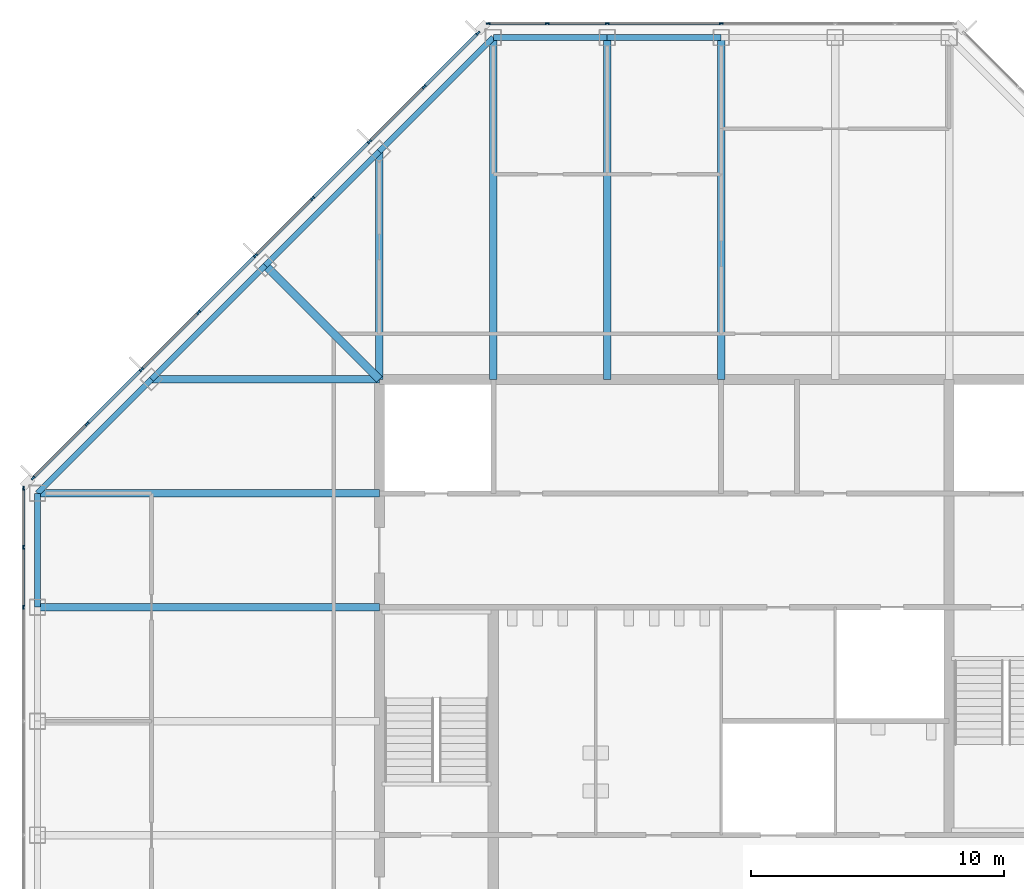
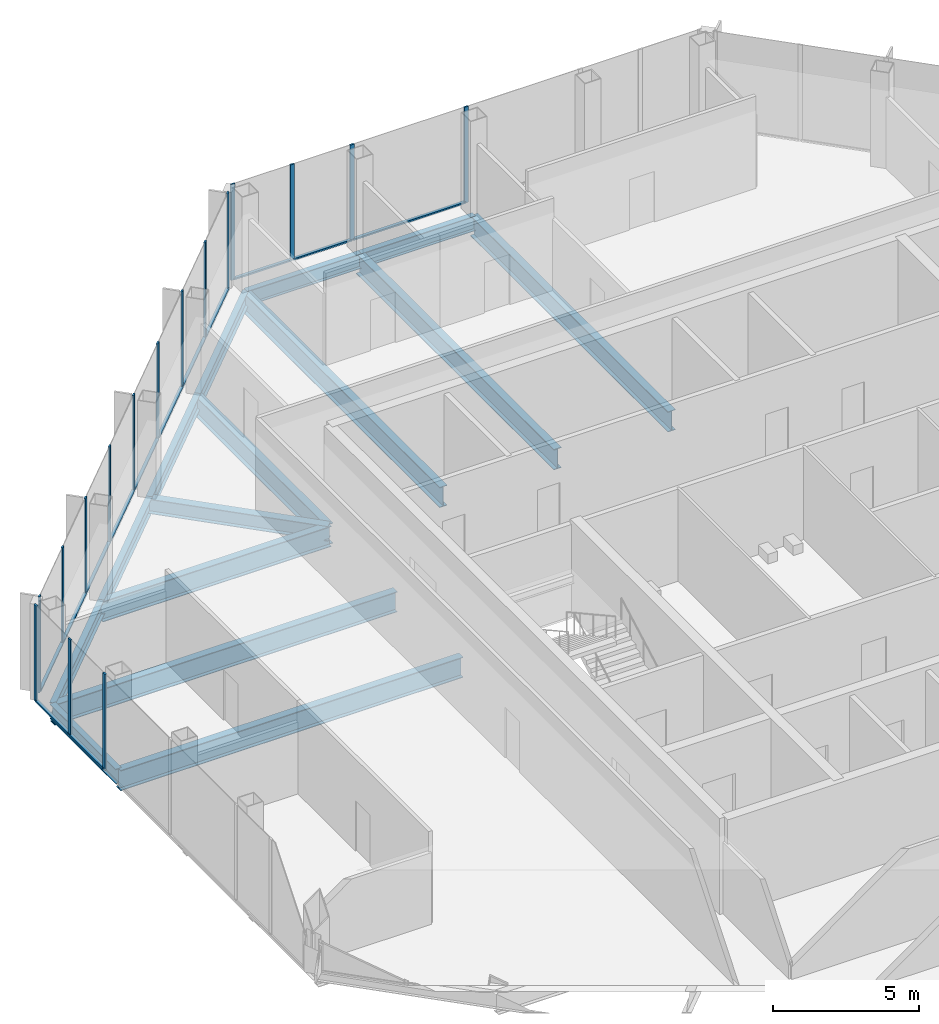
# One storey, part 6 of 13: 29 members, 15 beams, 3 elements without a shape of their own.
"""IFC4 building model written with IfcOpenShell, lengths in metres."""

from ifc_helpers import new_model, si_unit, direction, frame, origin, origin_2d, place, context, subcontext, project, spatial, rectangle, i_section, extrude, material, material_profile, profile_set, type_object, element, aggregate, save


model = new_model("IFC4")

# Units and contexts
model_context = context("Model", 3, precision=1e-05, world=origin(), true_north=direction((0.0, 1.0)))
body_context = subcontext(model_context, "Body", "Model", "MODEL_VIEW")
ifc_project = project(units=[si_unit("LENGTHUNIT", "METRE"), si_unit("AREAUNIT", "SQUARE_METRE"), si_unit("VOLUMEUNIT", "CUBIC_METRE"), si_unit("PLANEANGLEUNIT", "RADIAN"), si_unit("MASSUNIT", "GRAM", prefix="KILO")], contexts=[model_context])

# Site, building, storey
site_placement = place(None, origin())
site = spatial("IfcSite", under=ifc_project, at=site_placement, CompositionType="ELEMENT")
building_placement = place(site_placement, origin())
building = spatial("IfcBuilding", under=site, at=building_placement, Name="Corais Broadcast Tower", CompositionType="ELEMENT")
storey_placement = place(building_placement, frame((0.0, 0.0, 222.60009765625)))
storey = spatial("IfcBuildingStorey", under=building, at=storey_placement, Name="L51", CompositionType="ELEMENT", Elevation=222.60009765625)

# Beams
ifc_material_1 = material(Name="Steel ASTM A572 Grade 50", Category="steel")
ifc_material_profile_1 = material_profile(ifc_material_1, i_section(OverallWidth=0.323974609375, OverallDepth=0.611083984375, WebThickness=0.0126953125, FlangeThickness=0.01904296875, at=origin_2d()), Name="W610x155")
ifc_profile_set_1 = profile_set([ifc_material_profile_1], Name="Steel ASTM A572 Grade 50")
beam_type_1 = type_object("IfcBeamType", Name="Corner diagonal W610x155", PredefinedType="BEAM", material=ifc_profile_set_1)
beam_1_placement = place(storey_placement, frame((9.0, 45.0, -0.465576171875), z_axis=(0.707106781187, -0.707106781187, 0.0), x_axis=(0.707106781187, 0.707106781187, 0.0)))
element("IfcBeam", 1, at=beam_1_placement, inside=storey, type_object=beam_type_1, Name="B6 L/5 to K/6", PredefinedType="BEAM", context=body_context, shape_type="SweptSolid", body=[
    extrude(i_section(OverallWidth=0.323974609375, OverallDepth=0.611083984375, WebThickness=0.0126953125, FlangeThickness=0.01904296875, at=origin_2d()), origin(), (0.0, 0.0, 1.0), 6.364013671875),
])
ifc_material_2 = material(Name="Steel ASTM A572 Grade 50", Category="steel")
ifc_material_profile_2 = material_profile(ifc_material_2, i_section(OverallWidth=0.2939453125, OverallDepth=0.85107421875, WebThickness=0.01611328125, FlangeThickness=0.02685546875, at=origin_2d()), Name="W840x226")
ifc_profile_set_2 = profile_set([ifc_material_profile_2], Name="Steel ASTM A572 Grade 50")
beam_type_2 = type_object("IfcBeamType", Name="Floor beam W840x226", PredefinedType="BEAM", material=ifc_profile_set_2)
for number, where, z_axis, x_axis, name in (
    (2, (0.0, 31.5, -0.585693359375), (1.0, 0.0, 0.0), (0.0, 1.0, 0.0), "B1 H/3 to H/6"),
    (3, (0.0, 36.0, -0.585693359375), (1.0, 0.0, 0.0), (0.0, 1.0, 0.0), "B1 J/3 to J/6"),
):
    element("IfcBeam", number, at=place(storey_placement, frame(where, z_axis=z_axis, x_axis=x_axis)), inside=storey, type_object=beam_type_2, Name=name, PredefinedType="BEAM", context=body_context, shape_type="SweptSolid", body=[
        extrude(i_section(OverallWidth=0.2939453125, OverallDepth=0.85107421875, WebThickness=0.01611328125, FlangeThickness=0.02685546875, at=origin_2d()), origin(), (0.0, 0.0, 1.0), 13.5),
    ])
beam_2_placement = place(storey_placement, frame((13.5, 49.5, -0.585693359375), z_axis=(0.0, -1.0, 0.0), x_axis=(1.0, 0.0, 0.0)))
element("IfcBeam", 4, at=beam_2_placement, inside=storey, type_object=beam_type_2, Name="B1 M/6 to K/6", PredefinedType="BEAM", context=body_context, shape_type="SweptSolid", body=[
    extrude(i_section(OverallWidth=0.2939453125, OverallDepth=0.85107421875, WebThickness=0.01611328125, FlangeThickness=0.02685546875, at=origin_2d()), origin(), (0.0, 0.0, 1.0), 9.0),
])
for number, where, z_axis, x_axis, name in (
    (5, (18.0, 54.0, -0.585693359375), (0.0, -1.0, 0.0), (1.0, 0.0, 0.0), "B1 N/7 to K/7"),
    (6, (22.5, 54.0, -0.585693359375), (0.0, -1.0, 0.0), (1.0, 0.0, 0.0), "B1 N/8 to K/8"),
    (7, (27.0, 54.0, -0.585693359375), (0.0, -1.0, 0.0), (1.0, 0.0, 0.0), "B1 N/9 to K/9"),
):
    element("IfcBeam", number, at=place(storey_placement, frame(where, z_axis=z_axis, x_axis=x_axis)), inside=storey, type_object=beam_type_2, Name=name, PredefinedType="BEAM", context=body_context, shape_type="SweptSolid", body=[
        extrude(i_section(OverallWidth=0.2939453125, OverallDepth=0.85107421875, WebThickness=0.01611328125, FlangeThickness=0.02685546875, at=origin_2d()), origin(), (0.0, 0.0, 1.0), 13.5),
    ])
beam_3_placement = place(storey_placement, frame((4.5, 40.5, -0.585693359375), z_axis=(1.0, 0.0, 0.0), x_axis=(0.0, 1.0, 0.0)))
element("IfcBeam", 8, at=beam_3_placement, inside=storey, type_object=beam_type_2, Name="B1 K/4 to K/6", PredefinedType="BEAM", context=body_context, shape_type="SweptSolid", body=[
    extrude(i_section(OverallWidth=0.2939453125, OverallDepth=0.85107421875, WebThickness=0.01611328125, FlangeThickness=0.02685546875, at=origin_2d()), origin(), (0.0, 0.0, 1.0), 9.0),
])

# Curtain wall, members
ifc_material_3 = material(Name="Aluminium and glass", Category="aluminium")
curtain_wall_type = type_object("IfcCurtainWallType", Name="Unitised fritted curtain wall CW3", PredefinedType="NOTDEFINED", material=ifc_material_3)
curtain_wall_1_placement = place(storey_placement, origin())
curtain_wall_1 = element("IfcCurtainWall", 9, at=curtain_wall_1_placement, inside=storey, type_object=curtain_wall_type, Name="CW3 curtain wall L51 2", PredefinedType="NOTDEFINED")
ifc_material_4 = material(Name="Aluminium 6063-T6", Category="aluminium")
ifc_material_profile_3 = material_profile(ifc_material_4, rectangle(XDim=0.06494140625, YDim=0.159912109375, at=origin_2d()), Name="Mullion CW3 65x160")
ifc_profile_set_3 = profile_set([ifc_material_profile_3], Name="Aluminium 6063-T6")
member_type_1 = type_object("IfcMemberType", Name="Mullion CW3 65x160", PredefinedType="MULLION", material=ifc_profile_set_3)
member_1_placement = place(storey_placement, frame((-0.550048828125, 31.5, 0.0), z_axis=(0.0, 0.0, 1.0), x_axis=(-1.0, 0.0, 0.0)))
member_1 = element("IfcMember", 10, at=member_1_placement, type_object=member_type_1, Name="CW3 mullion 5", PredefinedType="MULLION", context=body_context, shape_type="SweptSolid", body=[
    extrude(rectangle(XDim=0.06494140625, YDim=0.159912109375, at=origin_2d()), origin(), (0.0, 0.0, 1.0), 4.0),
])
member_2_placement = place(storey_placement, frame((-0.550048828125, 33.864013671875, 0.0), z_axis=(0.0, 0.0, 1.0), x_axis=(-1.0, 0.0, 0.0)))
member_2 = element("IfcMember", 11, at=member_2_placement, type_object=member_type_1, Name="CW3 mullion 6", PredefinedType="MULLION", context=body_context, shape_type="SweptSolid", body=[
    extrude(rectangle(XDim=0.06494140625, YDim=0.159912109375, at=origin_2d()), origin(), (0.0, 0.0, 1.0), 4.0),
])
member_3_placement = place(storey_placement, frame((-0.550048828125, 36.1953125, 0.0), z_axis=(0.0, 0.0, 1.0), x_axis=(-1.0, 0.0, 0.0)))
member_3 = element("IfcMember", 12, at=member_3_placement, type_object=member_type_1, Name="CW3 mullion 7", PredefinedType="MULLION", context=body_context, shape_type="SweptSolid", body=[
    extrude(rectangle(XDim=0.06494140625, YDim=0.159912109375, at=origin_2d()), origin(), (0.0, 0.0, 1.0), 4.0),
])

curtain_wall_2_placement = place(storey_placement, origin())
curtain_wall_2 = element("IfcCurtainWall", 13, at=curtain_wall_2_placement, inside=storey, type_object=curtain_wall_type, Name="CW3 curtain wall L51 3", PredefinedType="NOTDEFINED")
member_4_placement = place(storey_placement, frame((-0.17333984375, 36.6044921875, 0.0), z_axis=(0.0, 0.0, 1.0), x_axis=(-0.707106781187, 0.707106781187, 0.0)))
member_4 = element("IfcMember", 14, at=member_4_placement, type_object=member_type_1, Name="CW3 mullion 1", PredefinedType="MULLION", context=body_context, shape_type="SweptSolid", body=[
    extrude(rectangle(XDim=0.06494140625, YDim=0.159912109375, at=origin_2d()), origin(), (0.0, 0.0, 1.0), 4.0),
])
member_5_placement = place(storey_placement, frame((1.957275390625, 38.735107421875, 0.0), z_axis=(0.0, 0.0, 1.0), x_axis=(-0.707106781187, 0.707106781187, 0.0)))
member_5 = element("IfcMember", 15, at=member_5_placement, type_object=member_type_1, Name="CW3 mullion 2", PredefinedType="MULLION", context=body_context, shape_type="SweptSolid", body=[
    extrude(rectangle(XDim=0.06494140625, YDim=0.159912109375, at=origin_2d()), origin(), (0.0, 0.0, 1.0), 4.0),
])
member_6_placement = place(storey_placement, frame((4.111083984375, 40.888916015625, 0.0), z_axis=(0.0, 0.0, 1.0), x_axis=(-0.707106781187, 0.707106781187, 0.0)))
member_6 = element("IfcMember", 16, at=member_6_placement, type_object=member_type_1, Name="CW3 mullion 3", PredefinedType="MULLION", context=body_context, shape_type="SweptSolid", body=[
    extrude(rectangle(XDim=0.06494140625, YDim=0.159912109375, at=origin_2d()), origin(), (0.0, 0.0, 1.0), 4.0),
])
member_7_placement = place(storey_placement, frame((6.361083984375, 43.138916015625, 0.0), z_axis=(0.0, 0.0, 1.0), x_axis=(-0.707106781187, 0.707106781187, 0.0)))
member_7 = element("IfcMember", 17, at=member_7_placement, type_object=member_type_1, Name="CW3 mullion 4", PredefinedType="MULLION", context=body_context, shape_type="SweptSolid", body=[
    extrude(rectangle(XDim=0.06494140625, YDim=0.159912109375, at=origin_2d()), origin(), (0.0, 0.0, 1.0), 4.0),
])
member_8_placement = place(storey_placement, frame((8.611083984375, 45.388916015625, 0.0), z_axis=(0.0, 0.0, 1.0), x_axis=(-0.707106781187, 0.707106781187, 0.0)))
member_8 = element("IfcMember", 18, at=member_8_placement, type_object=member_type_1, Name="CW3 mullion 5", PredefinedType="MULLION", context=body_context, shape_type="SweptSolid", body=[
    extrude(rectangle(XDim=0.06494140625, YDim=0.159912109375, at=origin_2d()), origin(), (0.0, 0.0, 1.0), 4.0),
])
member_9_placement = place(storey_placement, frame((10.861083984375, 47.638916015625, 0.0), z_axis=(0.0, 0.0, 1.0), x_axis=(-0.707106781187, 0.707106781187, 0.0)))
member_9 = element("IfcMember", 19, at=member_9_placement, type_object=member_type_1, Name="CW3 mullion 6", PredefinedType="MULLION", context=body_context, shape_type="SweptSolid", body=[
    extrude(rectangle(XDim=0.06494140625, YDim=0.159912109375, at=origin_2d()), origin(), (0.0, 0.0, 1.0), 4.0),
])
member_10_placement = place(storey_placement, frame((13.111083984375, 49.888916015625, 0.0), z_axis=(0.0, 0.0, 1.0), x_axis=(-0.707106781187, 0.707106781187, 0.0)))
member_10 = element("IfcMember", 20, at=member_10_placement, type_object=member_type_1, Name="CW3 mullion 7", PredefinedType="MULLION", context=body_context, shape_type="SweptSolid", body=[
    extrude(rectangle(XDim=0.06494140625, YDim=0.159912109375, at=origin_2d()), origin(), (0.0, 0.0, 1.0), 4.0),
])
member_11_placement = place(storey_placement, frame((15.264892578125, 52.042724609375, 0.0), z_axis=(0.0, 0.0, 1.0), x_axis=(-0.707106781187, 0.707106781187, 0.0)))
member_11 = element("IfcMember", 21, at=member_11_placement, type_object=member_type_1, Name="CW3 mullion 8", PredefinedType="MULLION", context=body_context, shape_type="SweptSolid", body=[
    extrude(rectangle(XDim=0.06494140625, YDim=0.159912109375, at=origin_2d()), origin(), (0.0, 0.0, 1.0), 4.0),
])
member_12_placement = place(storey_placement, frame((17.3955078125, 54.17333984375, 0.0), z_axis=(0.0, 0.0, 1.0), x_axis=(-0.707106781187, 0.707106781187, 0.0)))
member_12 = element("IfcMember", 22, at=member_12_placement, type_object=member_type_1, Name="CW3 mullion 9", PredefinedType="MULLION", context=body_context, shape_type="SweptSolid", body=[
    extrude(rectangle(XDim=0.06494140625, YDim=0.159912109375, at=origin_2d()), origin(), (0.0, 0.0, 1.0), 4.0),
])

curtain_wall_3_placement = place(storey_placement, origin())
curtain_wall_3 = element("IfcCurtainWall", 23, at=curtain_wall_3_placement, inside=storey, type_object=curtain_wall_type, Name="CW3 curtain wall L51 4", PredefinedType="NOTDEFINED")
member_13_placement = place(storey_placement, frame((17.8046875, 54.550048828125, 0.0), z_axis=(0.0, 0.0, 1.0), x_axis=(0.0, 1.0, 0.0)))
member_13 = element("IfcMember", 24, at=member_13_placement, type_object=member_type_1, Name="CW3 mullion 1", PredefinedType="MULLION", context=body_context, shape_type="SweptSolid", body=[
    extrude(rectangle(XDim=0.06494140625, YDim=0.159912109375, at=origin_2d()), origin(), (0.0, 0.0, 1.0), 4.0),
])
member_14_placement = place(storey_placement, frame((20.135986328125, 54.550048828125, 0.0), z_axis=(0.0, 0.0, 1.0), x_axis=(0.0, 1.0, 0.0)))
member_14 = element("IfcMember", 25, at=member_14_placement, type_object=member_type_1, Name="CW3 mullion 2", PredefinedType="MULLION", context=body_context, shape_type="SweptSolid", body=[
    extrude(rectangle(XDim=0.06494140625, YDim=0.159912109375, at=origin_2d()), origin(), (0.0, 0.0, 1.0), 4.0),
])
member_15_placement = place(storey_placement, frame((22.5, 54.550048828125, 0.0), z_axis=(0.0, 0.0, 1.0), x_axis=(0.0, 1.0, 0.0)))
member_15 = element("IfcMember", 26, at=member_15_placement, type_object=member_type_1, Name="CW3 mullion 3", PredefinedType="MULLION", context=body_context, shape_type="SweptSolid", body=[
    extrude(rectangle(XDim=0.06494140625, YDim=0.159912109375, at=origin_2d()), origin(), (0.0, 0.0, 1.0), 4.0),
])
member_16_placement = place(storey_placement, frame((27.0, 54.550048828125, 0.0), z_axis=(0.0, 0.0, 1.0), x_axis=(0.0, 1.0, 0.0)))
member_16 = element("IfcMember", 27, at=member_16_placement, type_object=member_type_1, Name="CW3 mullion 4", PredefinedType="MULLION", context=body_context, shape_type="SweptSolid", body=[
    extrude(rectangle(XDim=0.06494140625, YDim=0.159912109375, at=origin_2d()), origin(), (0.0, 0.0, 1.0), 4.0),
])

# Beams
ifc_material_5 = material(Name="Steel ASTM A572 Grade 50", Category="steel")
ifc_material_profile_4 = material_profile(ifc_material_5, i_section(OverallWidth=0.22998046875, OverallDepth=0.616943359375, WebThickness=0.01318359375, FlangeThickness=0.022216796875, at=origin_2d()), Name="W610x140")
ifc_profile_set_4 = profile_set([ifc_material_profile_4], Name="Steel ASTM A572 Grade 50")
beam_type_3 = type_object("IfcBeamType", Name="Spandrel W610x140", PredefinedType="BEAM", material=ifc_profile_set_4)
beam_4_placement = place(storey_placement, frame((0.0, 36.0, -0.468505859375), z_axis=(0.0, -1.0, 0.0), x_axis=(1.0, 0.0, 0.0)))
element("IfcBeam", 28, at=beam_4_placement, inside=storey, type_object=beam_type_3, Name="SB3 J/3 to H/3", PredefinedType="BEAM", context=body_context, shape_type="SweptSolid", body=[
    extrude(i_section(OverallWidth=0.22998046875, OverallDepth=0.616943359375, WebThickness=0.01318359375, FlangeThickness=0.022216796875, at=origin_2d()), origin(), (0.0, 0.0, 1.0), 4.5),
])
for number, where, z_axis, x_axis, name in (
    (29, (13.5, 49.5, -0.468505859375), (-0.707106781187, -0.707106781187, 0.0), (0.707106781187, -0.707106781187, 0.0), "SB3 M/6 to L/5"),
    (30, (18.0, 54.0, -0.468505859375), (-0.707106781187, -0.707106781187, 0.0), (0.707106781187, -0.707106781187, 0.0), "SB3 N/7 to M/6"),
):
    element("IfcBeam", number, at=place(storey_placement, frame(where, z_axis=z_axis, x_axis=x_axis)), inside=storey, type_object=beam_type_3, Name=name, PredefinedType="BEAM", context=body_context, shape_type="SweptSolid", body=[
        extrude(i_section(OverallWidth=0.22998046875, OverallDepth=0.616943359375, WebThickness=0.01318359375, FlangeThickness=0.022216796875, at=origin_2d()), origin(), (0.0, 0.0, 1.0), 6.364013671875),
    ])
for number, where, z_axis, x_axis, name in (
    (31, (22.5, 54.0, -0.468505859375), (-1.0, 0.0, 0.0), (0.0, -1.0, 0.0), "SB3 N/8 to N/7"),
    (32, (27.0, 54.0, -0.468505859375), (-1.0, 0.0, 0.0), (0.0, -1.0, 0.0), "SB3 N/9 to N/8"),
):
    element("IfcBeam", number, at=place(storey_placement, frame(where, z_axis=z_axis, x_axis=x_axis)), inside=storey, type_object=beam_type_3, Name=name, PredefinedType="BEAM", context=body_context, shape_type="SweptSolid", body=[
        extrude(i_section(OverallWidth=0.22998046875, OverallDepth=0.616943359375, WebThickness=0.01318359375, FlangeThickness=0.022216796875, at=origin_2d()), origin(), (0.0, 0.0, 1.0), 4.5),
    ])
for number, where, z_axis, x_axis, name in (
    (33, (4.5, 40.5, -0.468505859375), (-0.707106781187, -0.707106781187, 0.0), (0.707106781187, -0.707106781187, 0.0), "SB3 K/4 to J/3"),
    (34, (9.0, 45.0, -0.468505859375), (-0.707106781187, -0.707106781187, 0.0), (0.707106781187, -0.707106781187, 0.0), "SB3 L/5 to K/4"),
):
    element("IfcBeam", number, at=place(storey_placement, frame(where, z_axis=z_axis, x_axis=x_axis)), inside=storey, type_object=beam_type_3, Name=name, PredefinedType="BEAM", context=body_context, shape_type="SweptSolid", body=[
        extrude(i_section(OverallWidth=0.22998046875, OverallDepth=0.616943359375, WebThickness=0.01318359375, FlangeThickness=0.022216796875, at=origin_2d()), origin(), (0.0, 0.0, 1.0), 6.364013671875),
    ])

# Member
ifc_material_6 = material(Name="Aluminium 6063-T6", Category="aluminium")
ifc_material_profile_5 = material_profile(ifc_material_6, rectangle(XDim=0.1201171875, YDim=0.06494140625, at=origin_2d()), Name="Transom CW3 65x120")
ifc_profile_set_5 = profile_set([ifc_material_profile_5], Name="Aluminium 6063-T6")
member_type_2 = type_object("IfcMemberType", Name="Transom CW3 65x120", PredefinedType="USERDEFINED", material=ifc_profile_set_5)
member_17_placement = place(storey_placement, frame((-0.550048828125, 31.532470703125, 0.032470703125), z_axis=(0.0, 1.0, 0.0), x_axis=(-1.0, 0.0, 0.0)))
member_17 = element("IfcMember", 35, at=member_17_placement, type_object=member_type_2, Name="CW3 transom 5.1", ObjectType="TRANSOM", PredefinedType="USERDEFINED", context=body_context, shape_type="SweptSolid", body=[
    extrude(rectangle(XDim=0.1201171875, YDim=0.06494140625, at=origin_2d()), origin(), (0.0, 0.0, 1.0), 2.298828125),
])

member_18_placement = place(storey_placement, frame((-0.550048828125, 33.896484375, 0.032470703125), z_axis=(0.0, 1.0, 0.0), x_axis=(-1.0, 0.0, 0.0)))
member_18 = element("IfcMember", 36, at=member_18_placement, type_object=member_type_2, Name="CW3 transom 6.1", ObjectType="TRANSOM", PredefinedType="USERDEFINED", context=body_context, shape_type="SweptSolid", body=[
    extrude(rectangle(XDim=0.1201171875, YDim=0.06494140625, at=origin_2d()), origin(), (0.0, 0.0, 1.0), 2.266357421875),
])

aggregate(curtain_wall_1, [member_1, member_2, member_3, member_17, member_18])

member_19_placement = place(storey_placement, frame((-0.150390625, 36.62744140625, 0.032470703125), z_axis=(0.707106781187, 0.707106781187, 0.0), x_axis=(-0.707106781187, 0.707106781187, 0.0)))
member_19 = element("IfcMember", 37, at=member_19_placement, type_object=member_type_2, Name="CW3 transom 1.1", ObjectType="TRANSOM", PredefinedType="USERDEFINED", context=body_context, shape_type="SweptSolid", body=[
    extrude(rectangle(XDim=0.1201171875, YDim=0.06494140625, at=origin_2d()), origin(), (0.0, 0.0, 1.0), 2.9482421875),
])

member_20_placement = place(storey_placement, frame((1.980224609375, 38.758056640625, 0.032470703125), z_axis=(0.707106781187, 0.707106781187, 0.0), x_axis=(-0.707106781187, 0.707106781187, 0.0)))
member_20 = element("IfcMember", 38, at=member_20_placement, type_object=member_type_2, Name="CW3 transom 2.1", ObjectType="TRANSOM", PredefinedType="USERDEFINED", context=body_context, shape_type="SweptSolid", body=[
    extrude(rectangle(XDim=0.1201171875, YDim=0.06494140625, at=origin_2d()), origin(), (0.0, 0.0, 1.0), 2.98095703125),
])

member_21_placement = place(storey_placement, frame((4.134033203125, 40.911865234375, 0.032470703125), z_axis=(0.707106781187, 0.707106781187, 0.0), x_axis=(-0.707106781187, 0.707106781187, 0.0)))
member_21 = element("IfcMember", 39, at=member_21_placement, type_object=member_type_2, Name="CW3 transom 3.1", ObjectType="TRANSOM", PredefinedType="USERDEFINED", context=body_context, shape_type="SweptSolid", body=[
    extrude(rectangle(XDim=0.1201171875, YDim=0.06494140625, at=origin_2d()), origin(), (0.0, 0.0, 1.0), 3.1171875),
])

member_22_placement = place(storey_placement, frame((6.384033203125, 43.161865234375, 0.032470703125), z_axis=(0.707106781187, 0.707106781187, 0.0), x_axis=(-0.707106781187, 0.707106781187, 0.0)))
member_22 = element("IfcMember", 40, at=member_22_placement, type_object=member_type_2, Name="CW3 transom 4.1", ObjectType="TRANSOM", PredefinedType="USERDEFINED", context=body_context, shape_type="SweptSolid", body=[
    extrude(rectangle(XDim=0.1201171875, YDim=0.06494140625, at=origin_2d()), origin(), (0.0, 0.0, 1.0), 3.1171875),
])

member_23_placement = place(storey_placement, frame((8.634033203125, 45.411865234375, 0.032470703125), z_axis=(0.707106781187, 0.707106781187, 0.0), x_axis=(-0.707106781187, 0.707106781187, 0.0)))
member_23 = element("IfcMember", 41, at=member_23_placement, type_object=member_type_2, Name="CW3 transom 5.1", ObjectType="TRANSOM", PredefinedType="USERDEFINED", context=body_context, shape_type="SweptSolid", body=[
    extrude(rectangle(XDim=0.1201171875, YDim=0.06494140625, at=origin_2d()), origin(), (0.0, 0.0, 1.0), 3.1171875),
])

member_24_placement = place(storey_placement, frame((10.884033203125, 47.661865234375, 0.032470703125), z_axis=(0.707106781187, 0.707106781187, 0.0), x_axis=(-0.707106781187, 0.707106781187, 0.0)))
member_24 = element("IfcMember", 42, at=member_24_placement, type_object=member_type_2, Name="CW3 transom 6.1", ObjectType="TRANSOM", PredefinedType="USERDEFINED", context=body_context, shape_type="SweptSolid", body=[
    extrude(rectangle(XDim=0.1201171875, YDim=0.06494140625, at=origin_2d()), origin(), (0.0, 0.0, 1.0), 3.1171875),
])

member_25_placement = place(storey_placement, frame((13.134033203125, 49.911865234375, 0.032470703125), z_axis=(0.70714773134, 0.707065828661, 0.0), x_axis=(-0.707065828661, 0.70714773134, 0.0)))
member_25 = element("IfcMember", 43, at=member_25_placement, type_object=member_type_2, Name="CW3 transom 7.1", ObjectType="TRANSOM", PredefinedType="USERDEFINED", context=body_context, shape_type="SweptSolid", body=[
    extrude(rectangle(XDim=0.1201171875, YDim=0.06494140625, at=origin_2d()), origin(), (0.0, 0.0, 1.0), 2.98095703125),
])

member_26_placement = place(storey_placement, frame((15.287841796875, 52.065673828125, 0.032470703125), z_axis=(0.707106781187, 0.707106781187, 0.0), x_axis=(-0.707106781187, 0.707106781187, 0.0)))
member_26 = element("IfcMember", 44, at=member_26_placement, type_object=member_type_2, Name="CW3 transom 8.1", ObjectType="TRANSOM", PredefinedType="USERDEFINED", context=body_context, shape_type="SweptSolid", body=[
    extrude(rectangle(XDim=0.1201171875, YDim=0.06494140625, at=origin_2d()), origin(), (0.0, 0.0, 1.0), 2.9482421875),
])

aggregate(curtain_wall_2, [member_4, member_5, member_6, member_7, member_8, member_9, member_10, member_11, member_12, member_19, member_20, member_21, member_22, member_23, member_24, member_25, member_26])

member_27_placement = place(storey_placement, frame((17.837158203125, 54.550048828125, 0.032470703125), z_axis=(1.0, 0.0, 0.0), x_axis=(0.0, 1.0, 0.0)))
member_27 = element("IfcMember", 45, at=member_27_placement, type_object=member_type_2, Name="CW3 transom 1.1", ObjectType="TRANSOM", PredefinedType="USERDEFINED", context=body_context, shape_type="SweptSolid", body=[
    extrude(rectangle(XDim=0.1201171875, YDim=0.06494140625, at=origin_2d()), origin(), (0.0, 0.0, 1.0), 2.266357421875),
])

member_28_placement = place(storey_placement, frame((20.168701171875, 54.550048828125, 0.032470703125), z_axis=(1.0, 0.0, 0.0), x_axis=(0.0, 1.0, 0.0)))
member_28 = element("IfcMember", 46, at=member_28_placement, type_object=member_type_2, Name="CW3 transom 2.1", ObjectType="TRANSOM", PredefinedType="USERDEFINED", context=body_context, shape_type="SweptSolid", body=[
    extrude(rectangle(XDim=0.1201171875, YDim=0.06494140625, at=origin_2d()), origin(), (0.0, 0.0, 1.0), 2.298828125),
])

member_29_placement = place(storey_placement, frame((22.532470703125, 54.550048828125, 0.032470703125), z_axis=(1.0, 0.0, 0.0), x_axis=(0.0, 1.0, 0.0)))
member_29 = element("IfcMember", 47, at=member_29_placement, type_object=member_type_2, Name="CW3 transom 3.1", ObjectType="TRANSOM", PredefinedType="USERDEFINED", context=body_context, shape_type="SweptSolid", body=[
    extrude(rectangle(XDim=0.1201171875, YDim=0.06494140625, at=origin_2d()), origin(), (0.0, 0.0, 1.0), 4.43505859375),
])

aggregate(curtain_wall_3, [member_13, member_14, member_15, member_16, member_27, member_28, member_29])

save(model, "model.ifc")
